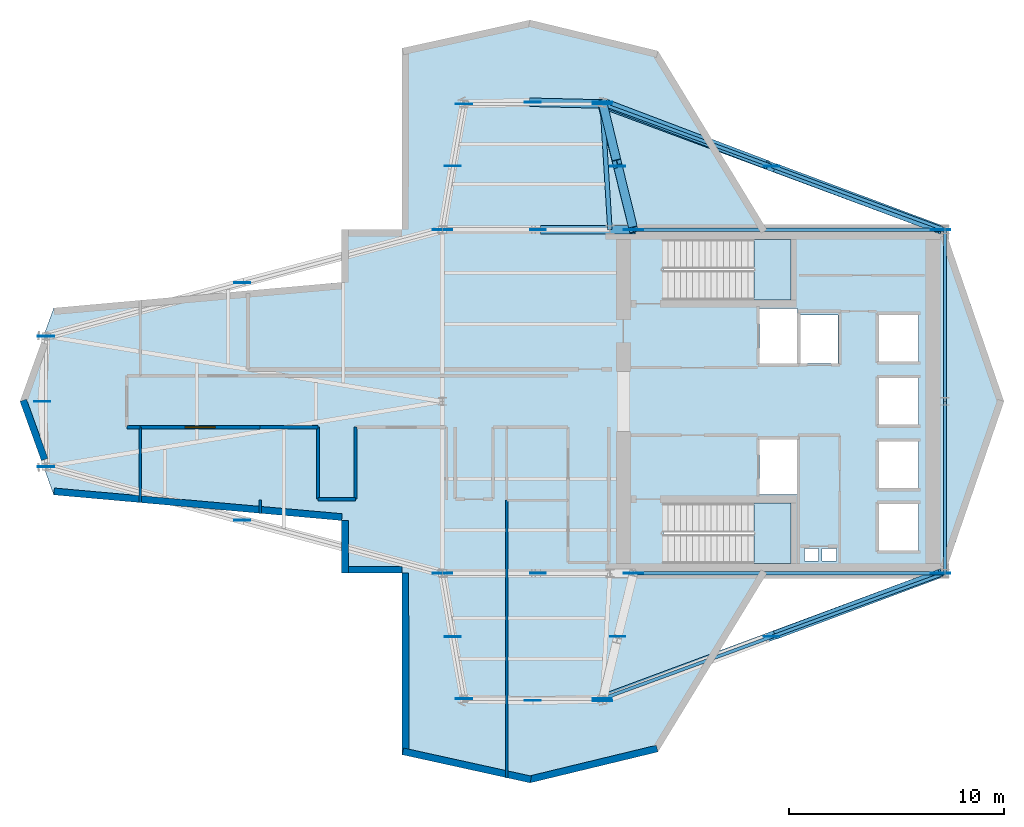
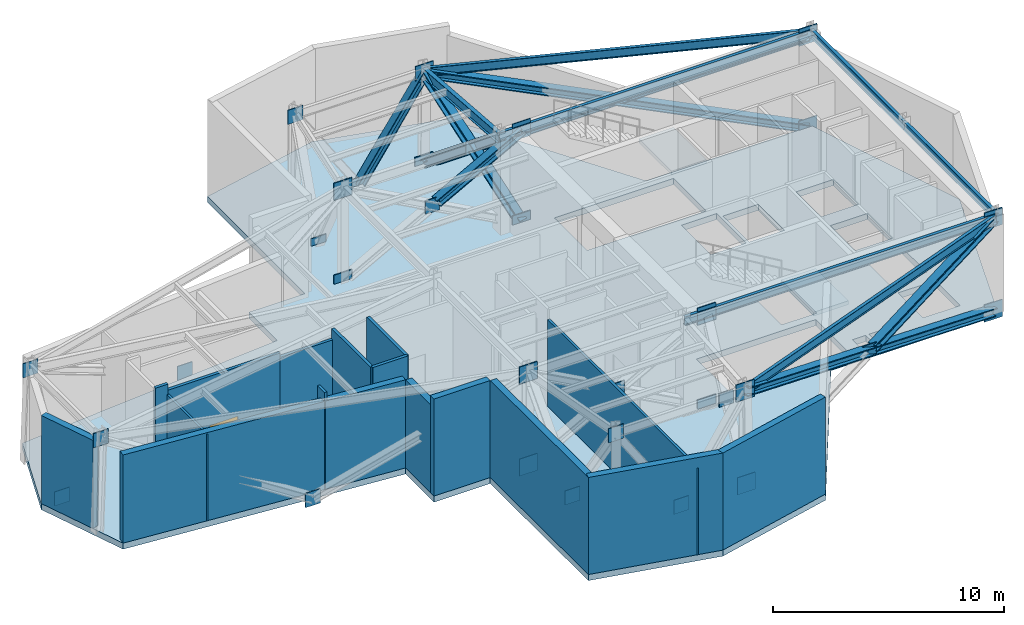
# One storey, part 2 of 5: 33 plates, 16 walls, 10 members, 7 beams, 3 slabs, 1 door, 1 opening, 2 elements without a shape of their own.
"""IFC4 building model written with IfcOpenShell, lengths in metres."""

from ifc_helpers import new_model, si_unit, direction, frame, frame_2d, origin, origin_2d, place, context, subcontext, project, spatial, polyline, rectangle, i_section, outline, extrude, material, layer, layer_set, material_profile, profile_set, type_object, element, fill, aggregate, save


model = new_model("IFC4")

# Units and contexts
model_context = context("Model", 3, precision=1e-05, world=origin(), true_north=direction((0.0, 1.0)))
body_context = subcontext(model_context, "Body", "Model", "MODEL_VIEW")
ifc_project = project(units=[si_unit("LENGTHUNIT", "METRE"), si_unit("AREAUNIT", "SQUARE_METRE"), si_unit("VOLUMEUNIT", "CUBIC_METRE"), si_unit("PLANEANGLEUNIT", "RADIAN"), si_unit("MASSUNIT", "GRAM", prefix="KILO")], contexts=[model_context])

# Site, building, storey
site_placement = place(None, origin())
site = spatial("IfcSite", under=ifc_project, at=site_placement, CompositionType="ELEMENT")
building_placement = place(site_placement, origin())
building = spatial("IfcBuilding", under=site, at=building_placement, Name="Veymaron Broadcast Tower", CompositionType="ELEMENT")
storey_placement = place(building_placement, frame((0.0, 0.0, 181.64990234375)))
storey = spatial("IfcBuildingStorey", under=building, at=storey_placement, Name="L42", CompositionType="ELEMENT", Elevation=181.64990234375)

# Beams
ifc_material_1 = material(Name="Structural steel ASTM A992 Gr 50", Category="steel")
ifc_material_profile_1 = material_profile(ifc_material_1, i_section(OverallWidth=0.2099609375, OverallDepth=0.537109375, WebThickness=0.010986328125, FlangeThickness=0.017333984375, at=origin_2d()), Name="W530X101")
ifc_profile_set_1 = profile_set([ifc_material_profile_1], Name="Structural steel ASTM A992 Gr 50")
beam_type_1 = type_object("IfcBeamType", Name="BM-FG3", PredefinedType="BEAM", material=ifc_profile_set_1)
beam_placement = place(storey_placement, frame((39.0, 32.0, 4.8515625), z_axis=(-0.061045718291, 0.998134970973, 0.0), x_axis=(-0.998134970973, -0.061045718291, 0.0)))
element("IfcBeam", 1, at=beam_placement, inside=storey, type_object=beam_type_1, Name="L42 primary structural floor girder", PredefinedType="BEAM", context=body_context, shape_type="SweptSolid", body=[
    extrude(i_section(OverallWidth=0.2099609375, OverallDepth=0.537109375, WebThickness=0.010986328125, FlangeThickness=0.017333984375, at=origin_2d()), origin(), (0.0, 0.0, 1.0), 5.863037109375),
])
ifc_material_profile_2 = material_profile(ifc_material_1, i_section(OverallWidth=0.154052734375, OverallDepth=0.458984375, WebThickness=0.009033203125, FlangeThickness=0.015380859375, at=origin_2d()), Name="W460X68")
ifc_profile_set_2 = profile_set([ifc_material_profile_2], Name="Structural steel ASTM A992 Gr 50")
beam_type_2 = type_object("IfcBeamType", Name="BM-SP2", PredefinedType="SPANDREL", material=ifc_profile_set_2)
for number, where, z_axis, x_axis, name in (
    (2, (39.0, 16.0, 4.890625), (1.0, 0.0, 0.0), (0.0, 1.0, 0.0), "L42 primary structural floor girder"),
    (3, (39.0, 32.0, 4.890625), (1.0, 0.0, 0.0), (0.0, 1.0, 0.0), "L42 primary structural floor girder"),
):
    element("IfcBeam", number, at=place(storey_placement, frame(where, z_axis=z_axis, x_axis=x_axis)), inside=storey, type_object=beam_type_2, Name=name, PredefinedType="SPANDREL", context=body_context, shape_type="SweptSolid", body=[
        extrude(i_section(OverallWidth=0.154052734375, OverallDepth=0.458984375, WebThickness=0.009033203125, FlangeThickness=0.015380859375, at=origin_2d()), origin(), (0.0, 0.0, 1.0), 15.60009765625),
    ])
for number, where, z_axis, x_axis, name in (
    (4, (54.60009765625, 16.0, 4.890625), (0.0, 1.0, 0.0), (-1.0, 0.0, 0.0), "L42 primary structural floor girder"),
    (5, (54.60009765625, 24.0, 4.890625), (0.0, 1.0, 0.0), (-1.0, 0.0, 0.0), "L42 primary structural floor girder"),
):
    element("IfcBeam", number, at=place(storey_placement, frame(where, z_axis=z_axis, x_axis=x_axis)), inside=storey, type_object=beam_type_2, Name=name, PredefinedType="SPANDREL", context=body_context, shape_type="SweptSolid", body=[
        extrude(i_section(OverallWidth=0.154052734375, OverallDepth=0.458984375, WebThickness=0.009033203125, FlangeThickness=0.015380859375, at=origin_2d()), origin(), (0.0, 0.0, 1.0), 8.0),
    ])
for number, where, z_axis, x_axis, name in (
    (6, (54.60009765625, 32.0, 4.890625), (-0.938861459041, 0.344295165125, 0.0), (-0.344295165125, -0.938861459041, 0.0), "L42 primary structural floor girder"),
    (7, (54.60009765625, 16.0, 4.890625), (-0.938861459041, -0.344295165125, 0.0), (0.344295165125, -0.938861459041, 0.0), "L42 primary structural floor girder"),
):
    element("IfcBeam", number, at=place(storey_placement, frame(where, z_axis=z_axis, x_axis=x_axis)), inside=storey, type_object=beam_type_2, Name=name, PredefinedType="SPANDREL", context=body_context, shape_type="SweptSolid", body=[
        extrude(i_section(OverallWidth=0.154052734375, OverallDepth=0.458984375, WebThickness=0.009033203125, FlangeThickness=0.015380859375, at=origin_2d()), origin(), (0.0, 0.0, 1.0), 16.9970703125),
    ])

# Members
ifc_material_profile_3 = material_profile(ifc_material_1, i_section(OverallWidth=0.39794921875, OverallDepth=0.386962890625, WebThickness=0.02099609375, FlangeThickness=0.033203125, at=origin_2d()), Name="W360X262")
ifc_profile_set_3 = profile_set([ifc_material_profile_3], Name="Structural steel ASTM A992 Gr 50")
member_type_1 = type_object("IfcMemberType", Name="MEM-BT2", PredefinedType="BRACE", material=ifc_profile_set_3)
member_1_placement = place(storey_placement, frame((35.410400390625, 37.929931640625, 0.02001953125), z_axis=(0.554447673822, -0.013361698871, 0.832111315869), x_axis=(0.02409212117, 0.999709742724, 0.0)))
element("IfcMember", 8, at=member_1_placement, inside=storey, type_object=member_type_1, Name="L42 Belt Truss perimeter diagonal R", PredefinedType="BRACE", context=body_context, shape_type="SweptSolid", body=[
    extrude(i_section(OverallWidth=0.39794921875, OverallDepth=0.386962890625, WebThickness=0.02099609375, FlangeThickness=0.033203125, at=origin_2d()), origin(), (0.0, 0.0, 1.0), 5.82861328125),
])
ifc_material_2 = material(Name="Structural steel ASTM A913 Gr 65", Category="steel")
ifc_material_profile_4 = material_profile(ifc_material_2, i_section(OverallWidth=0.406005859375, OverallDepth=0.416015625, WebThickness=0.02978515625, FlangeThickness=0.048095703125, at=origin_2d()), Name="W360X382")
ifc_profile_set_4 = profile_set([ifc_material_profile_4], Name="Structural steel ASTM A913 Gr 65")
member_type_2 = type_object("IfcMemberType", Name="MEM-OT2", PredefinedType="BRACE", material=ifc_profile_set_4)
member_2_placement = place(storey_placement, frame((40.10009765625, 32.0, 4.8701171875), z_axis=(-0.878082955067, 0.0, -0.478508436729), x_axis=(0.0, -1.0, 0.0)))
element("IfcMember", 9, at=member_2_placement, inside=storey, type_object=member_type_2, Name="L42 Outrigger split diagonal upper segment OT-NWB1", PredefinedType="BRACE", context=body_context, shape_type="SweptSolid", body=[
    extrude(i_section(OverallWidth=0.406005859375, OverallDepth=0.416015625, WebThickness=0.02978515625, FlangeThickness=0.048095703125, at=origin_2d()), origin(), (0.0, 0.0, 1.0), 4.828125),
])
member_3_placement = place(storey_placement, frame((40.10009765625, 32.0, 0.02001953125), z_axis=(-0.188391763364, 0.75615381243, 0.626689680339), x_axis=(-0.970337448617, -0.241754494916, 0.0)))
element("IfcMember", 10, at=member_3_placement, inside=storey, type_object=member_type_2, Name="L42 Outrigger continuous diagonal brace OT-B2A", PredefinedType="BRACE", context=body_context, shape_type="SweptSolid", body=[
    extrude(i_section(OverallWidth=0.406005859375, OverallDepth=0.416015625, WebThickness=0.02978515625, FlangeThickness=0.048095703125, at=origin_2d()), origin(), (0.0, 0.0, 1.0), 7.7392578125),
])
member_4_placement = place(storey_placement, frame((40.10009765625, 32.0, 4.8701171875), z_axis=(-0.187006046433, 0.758275681647, -0.624537212038), x_axis=(-0.970909713188, -0.239445878723, 0.0)))
element("IfcMember", 11, at=member_4_placement, inside=storey, type_object=member_type_2, Name="L42 Outrigger split diagonal upper segment OT-B2B1", PredefinedType="BRACE", context=body_context, shape_type="SweptSolid", body=[
    extrude(i_section(OverallWidth=0.406005859375, OverallDepth=0.416015625, WebThickness=0.02978515625, FlangeThickness=0.048095703125, at=origin_2d()), origin(), (0.0, 0.0, 1.0), 3.643798828125),
])
member_5_placement = place(storey_placement, frame((39.329833984375, 35.128173828125, 2.2958984375), z_axis=(-0.18376182888, 0.762970603557, -0.619764026347), x_axis=(-0.972199356781, -0.234154672546, 0.0)))
element("IfcMember", 12, at=member_5_placement, inside=storey, type_object=member_type_2, Name="L42 Outrigger split diagonal lower segment OT-B2B2", PredefinedType="BRACE", context=body_context, shape_type="SweptSolid", body=[
    extrude(i_section(OverallWidth=0.406005859375, OverallDepth=0.416015625, WebThickness=0.02978515625, FlangeThickness=0.048095703125, at=origin_2d()), origin(), (0.0, 0.0, 1.0), 3.672119140625),
])
member_6_placement = place(storey_placement, frame((54.39990234375, 32.0, 0.02001953125), z_axis=(-0.90069851178, 0.334496519078, 0.277226026199), x_axis=(-0.34814204012, -0.937441795474, 0.0)))
element("IfcMember", 13, at=member_6_placement, inside=storey, type_object=member_type_2, Name="L42 Outrigger continuous diagonal brace OT-BEA", PredefinedType="BRACE", context=body_context, shape_type="SweptSolid", body=[
    extrude(i_section(OverallWidth=0.406005859375, OverallDepth=0.416015625, WebThickness=0.02978515625, FlangeThickness=0.048095703125, at=origin_2d()), origin(), (0.0, 0.0, 1.0), 17.4951171875),
])
member_7_placement = place(storey_placement, frame((54.39990234375, 32.0, 4.8701171875), z_axis=(-0.899981863835, 0.336528676542, -0.277094017678), x_axis=(-0.350243216756, -0.936658790124, 0.0)))
element("IfcMember", 14, at=member_7_placement, inside=storey, type_object=member_type_2, Name="L42 Outrigger split diagonal upper segment OT-BEB1", PredefinedType="BRACE", context=body_context, shape_type="SweptSolid", body=[
    extrude(i_section(OverallWidth=0.406005859375, OverallDepth=0.416015625, WebThickness=0.02978515625, FlangeThickness=0.048095703125, at=origin_2d()), origin(), (0.0, 0.0, 1.0), 8.51123046875),
])
member_8_placement = place(storey_placement, frame((46.30859375, 35.02685546875, 2.378662109375), z_axis=(-0.898443731471, 0.340789001592, -0.276878525304), x_axis=(-0.354654234121, -0.934997526318, 0.0)))
element("IfcMember", 15, at=member_8_placement, inside=storey, type_object=member_type_2, Name="L42 Outrigger split diagonal lower segment OT-BEB2", PredefinedType="BRACE", context=body_context, shape_type="SweptSolid", body=[
    extrude(i_section(OverallWidth=0.406005859375, OverallDepth=0.416015625, WebThickness=0.02978515625, FlangeThickness=0.048095703125, at=origin_2d()), origin(), (0.0, 0.0, 1.0), 8.518798828125),
])
member_9_placement = place(storey_placement, frame((54.39990234375, 16.0, 0.02001953125), z_axis=(-0.90069851178, -0.334496519078, 0.277226026199), x_axis=(0.34814204012, -0.937441795474, 0.0)))
element("IfcMember", 16, at=member_9_placement, inside=storey, type_object=member_type_2, Name="L42 Outrigger continuous diagonal brace OT-CEA", PredefinedType="BRACE", context=body_context, shape_type="SweptSolid", body=[
    extrude(i_section(OverallWidth=0.406005859375, OverallDepth=0.416015625, WebThickness=0.02978515625, FlangeThickness=0.048095703125, at=origin_2d()), origin(), (0.0, 0.0, 1.0), 17.4951171875),
])
member_10_placement = place(storey_placement, frame((54.39990234375, 16.0, 4.8701171875), z_axis=(-0.899981863835, -0.336528676542, -0.277094017678), x_axis=(0.350243216756, -0.936658790124, 0.0)))
element("IfcMember", 17, at=member_10_placement, inside=storey, type_object=member_type_2, Name="L42 Outrigger split diagonal upper segment OT-CEB1", PredefinedType="BRACE", context=body_context, shape_type="SweptSolid", body=[
    extrude(i_section(OverallWidth=0.406005859375, OverallDepth=0.416015625, WebThickness=0.02978515625, FlangeThickness=0.048095703125, at=origin_2d()), origin(), (0.0, 0.0, 1.0), 8.51123046875),
])

# Plates
ifc_layer_1 = layer(ifc_material_2, 0.0400390625)
ifc_layer_set_1 = layer_set([ifc_layer_1], Name="Structural steel ASTM A913 Gr 65")
plate_type_1 = type_object("IfcPlateType", Name="PLT-NODE-BN1", PredefinedType="SHEET", material=ifc_layer_set_1)
for number, where, z_axis, x_axis, name in (
    (18, (12.56103515625, 24.0, -0.35498046875), (0.0, 0.0, 1.0), (1.0, 0.0, 0.0), "L42 Belt Truss apex gusset node plate BN1"),
    (19, (12.740478515625, 20.9580078125, 4.4951171875), (0.0, 0.0, 1.0), (1.0, 0.0, 0.0), "L42 Belt Truss column gusset node plate BN1"),
    (20, (12.740478515625, 27.0419921875, 4.4951171875), (0.0, 0.0, 1.0), (1.0, 0.0, 0.0), "L42 Belt Truss column gusset node plate BN1"),
    (21, (35.410400390625, 37.929931640625, -0.35498046875), (0.0, 0.0, 1.0), (1.0, 0.0, 0.0), "L42 Belt Truss apex gusset node plate BN1"),
    (22, (32.202392578125, 37.85205078125, 4.4951171875), (0.0, 0.0, 1.0), (1.0, 0.0, 0.0), "L42 Belt Truss column gusset node plate BN1"),
    (23, (35.410400390625, 10.070068359375, -0.35498046875), (0.0, 0.0, 1.0), (1.0, 0.0, 0.0), "L42 Belt Truss apex gusset node plate BN1"),
    (24, (32.202392578125, 10.14794921875, 4.4951171875), (0.0, 0.0, 1.0), (1.0, 0.0, 0.0), "L42 Belt Truss column gusset node plate BN1"),
    (25, (21.880615234375, 29.527587890625, -0.35498046875), (0.0, 0.0, 1.0), (1.0, 0.0, 0.0), "L42 Belt Truss apex gusset node plate BN1"),
    (26, (21.880615234375, 18.472412109375, -0.35498046875), (0.0, 0.0, 1.0), (1.0, 0.0, 0.0), "L42 Belt Truss apex gusset node plate BN1"),
    (27, (31.68310546875, 34.965087890625, -0.35498046875), (0.0, 0.0, 1.0), (1.0, 0.0, 0.0), "L42 Belt Truss apex gusset node plate BN1"),
    (28, (31.68310546875, 13.034912109375, -0.35498046875), (0.0, 0.0, 1.0), (1.0, 0.0, 0.0), "L42 Belt Truss apex gusset node plate BN1"),
):
    element("IfcPlate", number, at=place(storey_placement, frame(where, z_axis=z_axis, x_axis=x_axis)), inside=storey, type_object=plate_type_1, Name=name, PredefinedType="SHEET", context=body_context, shape_type="SweptSolid", body=[
        extrude(rectangle(XDim=0.75, YDim=0.0400390625, at=origin_2d()), origin(), (0.0, 0.0, 1.0), 0.75),
    ])
ifc_layer_2 = layer(ifc_material_2, 0.044921875)
ifc_layer_set_2 = layer_set([ifc_layer_2], Name="Structural steel ASTM A913 Gr 65")
plate_type_2 = type_object("IfcPlateType", Name="PLT-NODE-ON1", PredefinedType="SHEET", material=ifc_layer_set_2)
for number, where, z_axis, x_axis, name in (
    (29, (40.10009765625, 32.0, -0.429931640625), (0.0, 0.0, 1.0), (1.0, 0.0, 0.0), "L42 Outrigger end gusset node plate ON1"),
    (30, (31.199951171875, 32.0, 4.420166015625), (0.0, 0.0, 1.0), (1.0, 0.0, 0.0), "L42 Outrigger end gusset node plate ON1"),
    (31, (40.10009765625, 32.0, 4.420166015625), (0.0, 0.0, 1.0), (1.0, 0.0, 0.0), "L42 Outrigger end gusset node plate ON1"),
    (32, (31.199951171875, 32.0, -0.429931640625), (0.0, 0.0, 1.0), (1.0, 0.0, 0.0), "L42 Outrigger end gusset node plate ON1"),
    (33, (40.10009765625, 16.0, -0.429931640625), (0.0, 0.0, 1.0), (1.0, 0.0, 0.0), "L42 Outrigger end gusset node plate ON1"),
    (34, (31.199951171875, 16.0, 4.420166015625), (0.0, 0.0, 1.0), (1.0, 0.0, 0.0), "L42 Outrigger end gusset node plate ON1"),
    (35, (40.10009765625, 16.0, 4.420166015625), (0.0, 0.0, 1.0), (1.0, 0.0, 0.0), "L42 Outrigger end gusset node plate ON1"),
    (36, (31.199951171875, 16.0, -0.429931640625), (0.0, 0.0, 1.0), (1.0, 0.0, 0.0), "L42 Outrigger end gusset node plate ON1"),
    (37, (38.64208984375, 37.85205078125, 4.420166015625), (0.0, 0.0, 1.0), (1.0, 0.0, 0.0), "L42 Outrigger end gusset node plate ON1"),
    (38, (38.655029296875, 37.929931640625, -0.429931640625), (0.0, 0.0, 1.0), (1.0, 0.0, 0.0), "L42 Outrigger end gusset node plate ON1"),
    (39, (38.64208984375, 10.14794921875, 4.420166015625), (0.0, 0.0, 1.0), (1.0, 0.0, 0.0), "L42 Outrigger end gusset node plate ON1"),
    (40, (38.655029296875, 10.070068359375, -0.429931640625), (0.0, 0.0, 1.0), (1.0, 0.0, 0.0), "L42 Outrigger end gusset node plate ON1"),
    (41, (54.39990234375, 32.0, -0.429931640625), (0.0, 0.0, 1.0), (1.0, 0.0, 0.0), "L42 Outrigger end gusset node plate ON1"),
    (42, (54.39990234375, 32.0, 4.420166015625), (0.0, 0.0, 1.0), (1.0, 0.0, 0.0), "L42 Outrigger end gusset node plate ON1"),
    (43, (54.39990234375, 16.0, -0.429931640625), (0.0, 0.0, 1.0), (1.0, 0.0, 0.0), "L42 Outrigger end gusset node plate ON1"),
    (44, (54.39990234375, 16.0, 4.420166015625), (0.0, 0.0, 1.0), (1.0, 0.0, 0.0), "L42 Outrigger end gusset node plate ON1"),
):
    element("IfcPlate", number, at=place(storey_placement, frame(where, z_axis=z_axis, x_axis=x_axis)), inside=storey, type_object=plate_type_2, Name=name, PredefinedType="SHEET", context=body_context, shape_type="SweptSolid", body=[
        extrude(rectangle(XDim=0.89990234375, YDim=0.044921875, at=origin_2d()), origin(), (0.0, 0.0, 1.0), 0.89990234375),
    ])
ifc_layer_3 = layer(ifc_material_2, 0.044921875)
ifc_layer_set_3 = layer_set([ifc_layer_3], Name="Structural steel ASTM A913 Gr 65")
plate_type_3 = type_object("IfcPlateType", Name="PLT-NODE-XN1", PredefinedType="SHEET", material=ifc_layer_set_3)
for number, where, z_axis, x_axis, name in (
    (45, (35.64990234375, 32.0, 2.09521484375), (0.0, 0.0, 1.0), (1.0, 0.0, 0.0), "L42 Outrigger X-brace crossing gusset node XN1"),
    (46, (35.64990234375, 16.0, 2.09521484375), (0.0, 0.0, 1.0), (1.0, 0.0, 0.0), "L42 Outrigger X-brace crossing gusset node XN1"),
    (47, (39.374267578125, 34.945556640625, 2.09521484375), (0.0, 0.0, 1.0), (1.0, 0.0, 0.0), "L42 Outrigger X-brace crossing gusset node XN1"),
    (48, (39.374267578125, 13.054443359375, 2.09521484375), (0.0, 0.0, 1.0), (1.0, 0.0, 0.0), "L42 Outrigger X-brace crossing gusset node XN1"),
    (49, (46.5244140625, 34.945556640625, 2.09521484375), (0.0, 0.0, 1.0), (1.0, 0.0, 0.0), "L42 Outrigger X-brace crossing gusset node XN1"),
    (50, (46.5244140625, 13.054443359375, 2.09521484375), (0.0, 0.0, 1.0), (1.0, 0.0, 0.0), "L42 Outrigger X-brace crossing gusset node XN1"),
):
    element("IfcPlate", number, at=place(storey_placement, frame(where, z_axis=z_axis, x_axis=x_axis)), inside=storey, type_object=plate_type_3, Name=name, PredefinedType="SHEET", context=body_context, shape_type="SweptSolid", body=[
        extrude(rectangle(XDim=0.699951171875, YDim=0.044921875, at=origin_2d()), origin(), (0.0, 0.0, 1.0), 0.699951171875),
    ])

# Slab
ifc_material_3 = material(Name="Concrete C40/50", Category="concrete")
ifc_layer_4 = layer(ifc_material_3, 0.320068359375)
ifc_layer_set_4 = layer_set([ifc_layer_4], Name="Concrete C40/50")
slab_type_1 = type_object("IfcSlabType", Name="SLAB-FS2", PredefinedType="FLOOR", material=ifc_layer_set_4)
slab_1_placement = place(storey_placement, frame((0.0, 0.0, -0.31982421875)))
element("IfcSlab", 51, at=slab_1_placement, inside=storey, type_object=slab_type_1, Name="L42 structural floor slab", PredefinedType="FLOOR", context=body_context, shape_type="SweptSolid", body=[
    extrude(outline(polyline([(46.312255859375, 16.0), (54.60009765625, 16.0), (57.35107421875, 24.0), (54.60009765625, 32.0), (46.312255859375, 32.0), (41.2373046875, 40.322021484375), (35.282958984375, 41.762939453125), (29.32861328125, 40.452880859375), (29.30615234375, 32.0), (26.50390625, 32.0), (26.50390625, 29.546875), (13.10009765625, 28.351318359375), (11.528076171875, 24.0), (13.10009765625, 19.648681640625), (26.50390625, 18.453125), (26.50390625, 16.0), (29.30615234375, 16.0), (29.32861328125, 7.547119140625), (35.282958984375, 6.237060546875), (41.2373046875, 7.677978515625), (46.312255859375, 16.0)]), holes=[polyline([(45.969970703125, 28.330078125), (47.72998046875, 28.330078125), (47.72998046875, 25.77001953125), (45.969970703125, 25.77001953125), (45.969970703125, 28.330078125)]), polyline([(45.969970703125, 22.22998046875), (47.72998046875, 22.22998046875), (47.72998046875, 19.669921875), (45.969970703125, 19.669921875), (45.969970703125, 22.22998046875)]), polyline([(47.8701171875, 28.030029296875), (49.6298828125, 28.030029296875), (49.6298828125, 25.77001953125), (47.8701171875, 25.77001953125), (47.8701171875, 28.030029296875)]), polyline([(51.52001953125, 28.030029296875), (53.3798828125, 28.030029296875), (53.3798828125, 25.8701171875), (51.52001953125, 25.8701171875), (51.52001953125, 28.030029296875)]), polyline([(51.52001953125, 22.1298828125), (53.3798828125, 22.1298828125), (53.3798828125, 19.969970703125), (51.52001953125, 19.969970703125), (51.52001953125, 22.1298828125)]), polyline([(51.52001953125, 25.080078125), (53.3798828125, 25.080078125), (53.3798828125, 22.919921875), (51.52001953125, 22.919921875), (51.52001953125, 25.080078125)]), polyline([(51.52001953125, 19.22998046875), (53.3798828125, 19.22998046875), (53.3798828125, 17.070068359375), (51.52001953125, 17.070068359375), (51.52001953125, 19.22998046875)]), polyline([(48.050048828125, 17.159912109375), (48.719970703125, 17.159912109375), (48.719970703125, 16.56005859375), (48.050048828125, 16.56005859375), (48.050048828125, 17.159912109375)]), polyline([(48.8798828125, 17.159912109375), (49.550048828125, 17.159912109375), (49.550048828125, 16.56005859375), (48.8798828125, 16.56005859375), (48.8798828125, 17.159912109375)]), polyline([(41.489990234375, 31.550048828125), (47.43994140625, 31.550048828125), (47.43994140625, 28.72998046875), (41.489990234375, 28.72998046875), (41.489990234375, 31.550048828125)]), polyline([(41.489990234375, 19.27001953125), (47.43994140625, 19.27001953125), (47.43994140625, 16.449951171875), (41.489990234375, 16.449951171875), (41.489990234375, 19.27001953125)])]), origin(), (0.0, 0.0, 1.0), 0.31982421875),
])

# Stair, slab
ifc_material_4 = material(Name="Concrete C50/60", Category="concrete")
stair_type_1 = type_object("IfcStairType", Name="STAIR-CORE-1", PredefinedType="HALF_TURN_STAIR", material=ifc_material_4)
stair_1_placement = place(storey_placement, origin())
stair_1 = element("IfcStair", 52, at=stair_1_placement, inside=storey, type_object=stair_type_1, Name="L42 North protected dog-leg exit stair ST1", PredefinedType="HALF_TURN_STAIR")
ifc_layer_5 = layer(ifc_material_4, 0.199951171875)
ifc_layer_set_5 = layer_set([ifc_layer_5], Name="Concrete C50/60")
slab_type_2 = type_object("IfcSlabType", Name="SLAB-STAIR-LDG", PredefinedType="LANDING", material=ifc_layer_set_5)
slab_2_placement = place(storey_placement, frame((0.0, 0.0, 2.5)))
slab_2 = element("IfcSlab", 53, at=slab_2_placement, type_object=slab_type_2, Name="ST1 landing 1", PredefinedType="LANDING", context=body_context, shape_type="SweptSolid", body=[
    extrude(outline(polyline([(45.705078125, 28.72998046875), (47.43994140625, 28.72998046875), (47.43994140625, 31.550048828125), (45.705078125, 31.550048828125), (45.705078125, 28.72998046875)])), origin(), (0.0, 0.0, 1.0), 0.2001953125),
])
aggregate(stair_1, [slab_2])

stair_type_2 = type_object("IfcStairType", Name="STAIR-CORE-2", PredefinedType="HALF_TURN_STAIR", material=ifc_material_4)
stair_2_placement = place(storey_placement, origin())
stair_2 = element("IfcStair", 54, at=stair_2_placement, inside=storey, type_object=stair_type_2, Name="L42 South protected dog-leg exit stair ST2", PredefinedType="HALF_TURN_STAIR")
slab_3_placement = place(storey_placement, frame((0.0, 0.0, 2.5)))
slab_3 = element("IfcSlab", 55, at=slab_3_placement, type_object=slab_type_2, Name="ST2 landing 1", PredefinedType="LANDING", context=body_context, shape_type="SweptSolid", body=[
    extrude(outline(polyline([(45.705078125, 16.449951171875), (47.43994140625, 16.449951171875), (47.43994140625, 19.27001953125), (45.705078125, 19.27001953125), (45.705078125, 16.449951171875)])), origin(), (0.0, 0.0, 1.0), 0.2001953125),
])
aggregate(stair_2, [slab_3])

# Walls
ifc_material_5 = material(Name="Precast concrete C40/50", Category="concrete")
ifc_layer_6 = layer(ifc_material_5, 0.320068359375)
ifc_layer_set_6 = layer_set([ifc_layer_6], Name="Precast concrete C40/50")
wall_type_1 = type_object("IfcWallType", Name="WALL-EXT-320", PredefinedType="STANDARD", material=ifc_layer_set_6)
wall_1_placement = place(storey_placement, frame((11.678466796875, 24.054443359375, 0.0), z_axis=(0.0, 0.0, 1.0), x_axis=(0.339763149666, -0.940511032433, 0.0)))
element("IfcWall", 56, at=wall_1_placement, inside=storey, type_object=wall_type_1, Name="L42 mechanical belt-truss facade band 13-1", PredefinedType="STANDARD", context=body_context, shape_type="SweptSolid", body=[
    extrude(rectangle(XDim=2.931640625, YDim=0.320068359375, at=frame_2d((1.4658203125, 0.0))), origin(), (0.0, 0.0, 1.0), 4.649169921875),
])
wall_2_placement = place(storey_placement, frame((13.1142578125, 19.80810546875, 0.0), z_axis=(0.0, 0.0, 1.0), x_axis=(0.996045822268, -0.088840981215, 0.0)))
element("IfcWall", 57, at=wall_2_placement, inside=storey, type_object=wall_type_1, Name="L42 mechanical belt-truss facade band 14-1", PredefinedType="STANDARD", context=body_context, shape_type="SweptSolid", body=[
    extrude(rectangle(XDim=13.457275390625, YDim=0.320068359375, at=frame_2d((6.728515625, 0.0))), origin(), (0.0, 0.0, 1.0), 4.649169921875),
])
wall_3_placement = place(storey_placement, frame((26.6640625, 18.453125, 0.0), z_axis=(0.0, 0.0, 1.0), x_axis=(0.0, -1.0, 0.0)))
element("IfcWall", 58, at=wall_3_placement, inside=storey, type_object=wall_type_1, Name="L42 mechanical belt-truss facade band 15-1", PredefinedType="STANDARD", context=body_context, shape_type="SweptSolid", body=[
    extrude(rectangle(XDim=2.453125, YDim=0.320068359375, at=frame_2d((1.2265625, 0.0))), origin(), (0.0, 0.0, 1.0), 4.649169921875),
])
wall_4_placement = place(storey_placement, frame((26.50390625, 16.159912109375, 0.0), z_axis=(0.0, 0.0, 1.0), x_axis=(1.0, 0.0, 0.0)))
element("IfcWall", 59, at=wall_4_placement, inside=storey, type_object=wall_type_1, Name="L42 mechanical belt-truss facade band 16-1", PredefinedType="STANDARD", context=body_context, shape_type="SweptSolid", body=[
    extrude(rectangle(XDim=2.80224609375, YDim=0.320068359375, at=frame_2d((1.401123046875, 0.0))), origin(), (0.0, 0.0, 1.0), 5.1201171875),
])
wall_5_placement = place(storey_placement, frame((29.466064453125, 16.00048828125, 0.0), z_axis=(0.0, 0.0, 1.0), x_axis=(0.002657107071, -0.999996469885, 0.0)))
element("IfcWall", 60, at=wall_5_placement, inside=storey, type_object=wall_type_1, Name="L42 mechanical belt-truss facade band 17-1", PredefinedType="STANDARD", context=body_context, shape_type="SweptSolid", body=[
    extrude(rectangle(XDim=8.453125, YDim=0.320068359375, at=frame_2d((4.2265625, 0.0))), origin(), (0.0, 0.0, 1.0), 5.1201171875),
])
wall_6_placement = place(storey_placement, frame((29.363037109375, 7.703369140625, 0.0), z_axis=(0.0, 0.0, 1.0), x_axis=(0.976640937295, -0.21487782482, 0.0)))
element("IfcWall", 61, at=wall_6_placement, inside=storey, type_object=wall_type_1, Name="L42 mechanical belt-truss facade band 18-1", PredefinedType="STANDARD", context=body_context, shape_type="SweptSolid", body=[
    extrude(rectangle(XDim=6.0966796875, YDim=0.320068359375, at=frame_2d((3.04833984375, 0.0))), origin(), (0.0, 0.0, 1.0), 5.1201171875),
])
wall_7_placement = place(storey_placement, frame((35.245361328125, 6.392578125, 0.0), z_axis=(0.0, 0.0, 1.0), x_axis=(0.971945697545, 0.235205359257, 0.0)))
element("IfcWall", 62, at=wall_7_placement, inside=storey, type_object=wall_type_1, Name="L42 mechanical belt-truss facade band 19-1", PredefinedType="STANDARD", context=body_context, shape_type="SweptSolid", body=[
    extrude(rectangle(XDim=6.126220703125, YDim=0.320068359375, at=frame_2d((3.06298828125, 0.0))), origin(), (0.0, 0.0, 1.0), 5.1201171875),
])

# Wall, opening, door
ifc_material_6 = material(Name="Gypsum fireboard and steel stud framing", Category="steel")
ifc_layer_7 = layer(ifc_material_6, 0.14990234375)
ifc_layer_set_7 = layer_set([ifc_layer_7], Name="Gypsum fireboard and steel stud framing")
wall_type_2 = type_object("IfcWallType", Name="WALL-FIRE-150", PredefinedType="PARTITIONING", material=ifc_layer_set_7)
wall_8_placement = place(storey_placement, frame((17.1201171875, 22.800048828125, 0.0), z_axis=(0.0, 0.0, 1.0), x_axis=(1.0, 0.0, 0.0)))
wall_8 = element("IfcWall", 63, at=wall_8_placement, inside=storey, type_object=wall_type_2, Name="L42 partition IW-L42-P08", PredefinedType="PARTITIONING", context=body_context, shape_type="SweptSolid", body=[
    extrude(rectangle(XDim=5.58984375, YDim=0.14990234375, at=frame_2d((2.794921875, 0.0))), origin(), (0.0, 0.0, 1.0), 4.798095703125),
])
opening_placement = place(wall_8_placement, frame((2.094970703125, 0.0, 0.0)))
opening = element("IfcOpeningElement", 64, at=opening_placement, cuts=wall_8, Name="Opening ID-PL1", PredefinedType="OPENING", context=body_context, shape_type="SweptSolid", body=[
    extrude(rectangle(XDim=1.39990234375, YDim=2.199951171875, at=frame_2d((0.699951171875, 1.10009765625))), frame((0.0, 0.0849609375, 0.0), z_axis=(0.0, -1.0, 0.0), x_axis=(1.0, 0.0, 0.0)), (0.0, 0.0, 1.0), 0.169921875),
])
ifc_material_7 = material(Name="Heavy-duty acoustic galvanized steel", Category="steel")
door_type = type_object("IfcDoorType", Name="DOOR-PLANT-1400", OperationType="DOUBLE_DOOR_SINGLE_SWING", PredefinedType="DOOR", material=ifc_material_7)
door_placement = place(opening_placement, frame((1.39990234375, 0.0, 0.0), z_axis=(0.0, 0.0, 1.0), x_axis=(-1.0, 0.0, 0.0)))
door = element("IfcDoor", 65, at=door_placement, inside=storey, type_object=door_type, Name="L42 door DR-L42-P08", OperationType="SINGLE_SWING_LEFT", OverallHeight=2.199951171875, OverallWidth=1.39990234375, PredefinedType="DOOR", context=body_context, shape_type="SweptSolid", body=[
    extrude(rectangle(XDim=1.39990234375, YDim=2.199951171875, at=frame_2d((0.699951171875, 1.10009765625))), frame((0.0, 0.02490234375, 0.0), z_axis=(0.0, -1.0, 0.0), x_axis=(1.0, 0.0, 0.0)), (0.0, 0.0, 1.0), 0.050048828125),
])
fill(opening, door)

# Walls
for number, where, z_axis, x_axis, name in (
    (66, (27.14990234375, 19.449951171875, 0.0), (0.0, 0.0, 1.0), (0.0, 1.0, 0.0), "L42 partition IW-L42-P10"),
    (67, (25.39990234375, 19.449951171875, 0.0), (0.0, 0.0, 1.0), (0.0, 1.0, 0.0), "L42 partition IW-L42-P11"),
):
    element("IfcWall", number, at=place(storey_placement, frame(where, z_axis=z_axis, x_axis=x_axis)), inside=storey, type_object=wall_type_2, Name=name, PredefinedType="PARTITIONING", context=body_context, shape_type="SweptSolid", body=[
        extrude(rectangle(XDim=3.35009765625, YDim=0.14990234375, at=frame_2d((1.675048828125, 0.0))), origin(), (0.0, 0.0, 1.0), 5.1201171875),
    ])
wall_9_placement = place(storey_placement, frame((22.7099609375, 22.800048828125, 0.0), z_axis=(0.0, 0.0, 1.0), x_axis=(1.0, 0.0, 0.0)))
element("IfcWall", 68, at=wall_9_placement, inside=storey, type_object=wall_type_2, Name="L42 partition IW-L42-P12", PredefinedType="PARTITIONING", context=body_context, shape_type="SweptSolid", body=[
    extrude(rectangle(XDim=2.68994140625, YDim=0.14990234375, at=frame_2d((1.344970703125, 0.0))), origin(), (0.0, 0.0, 1.0), 4.571044921875),
])
wall_10_placement = place(storey_placement, frame((25.39990234375, 19.449951171875, 0.0), z_axis=(0.0, 0.0, 1.0), x_axis=(1.0, 0.0, 0.0)))
element("IfcWall", 69, at=wall_10_placement, inside=storey, type_object=wall_type_2, Name="L42 partition IW-L42-P13", PredefinedType="PARTITIONING", context=body_context, shape_type="SweptSolid", body=[
    extrude(rectangle(XDim=1.75, YDim=0.14990234375, at=frame_2d((0.875, 0.0))), origin(), (0.0, 0.0, 1.0), 5.1201171875),
])
wall_11_placement = place(storey_placement, frame((16.5, 22.800048828125, 0.0), z_axis=(0.0, 0.0, 1.0), x_axis=(1.0, 0.0, 0.0)))
element("IfcWall", 70, at=wall_11_placement, inside=storey, type_object=wall_type_2, Name="L42 partition IW-L42-P17", PredefinedType="PARTITIONING", context=body_context, shape_type="SweptSolid", body=[
    extrude(rectangle(XDim=0.6201171875, YDim=0.14990234375, at=frame_2d((0.31005859375, 0.0))), origin(), (0.0, 0.0, 1.0), 5.1201171875),
])
ifc_material_8 = material(Name="Acoustic gypsum board and galvanized stud", Category="gypsum")
ifc_layer_8 = layer(ifc_material_8, 0.1201171875)
ifc_layer_set_8 = layer_set([ifc_layer_8], Name="Acoustic gypsum board and galvanized stud")
wall_type_3 = type_object("IfcWallType", Name="WALL-PART-120", PredefinedType="PARTITIONING", material=ifc_layer_set_8)
wall_12_placement = place(storey_placement, frame((34.199951171875, 6.475341796875, 0.0), z_axis=(0.0, 0.0, 1.0), x_axis=(0.0, 1.0, 0.0)))
element("IfcWall", 71, at=wall_12_placement, inside=storey, type_object=wall_type_3, Name="L42 partition IW-L42-P20", PredefinedType="PARTITIONING", context=body_context, shape_type="SweptSolid", body=[
    extrude(rectangle(XDim=12.924560546875, YDim=0.1201171875, at=frame_2d((6.46240234375, 0.0))), origin(), (0.0, 0.0, 1.0), 4.571044921875),
])
wall_13_placement = place(storey_placement, frame((22.7099609375, 18.79150390625, 0.0), z_axis=(0.0, 0.0, 1.0), x_axis=(0.0, 1.0, 0.0)))
element("IfcWall", 72, at=wall_13_placement, inside=storey, type_object=wall_type_3, Name="L42 partition IW-L42-P22", PredefinedType="PARTITIONING", context=body_context, shape_type="SweptSolid", body=[
    extrude(rectangle(XDim=0.6083984375, YDim=0.1201171875, at=frame_2d((0.30419921875, 0.0))), origin(), (0.0, 0.0, 1.0), 5.1201171875),
])
wall_14_placement = place(storey_placement, frame((17.1201171875, 19.2900390625, 0.0), z_axis=(0.0, 0.0, 1.0), x_axis=(0.0, 1.0, 0.0)))
element("IfcWall", 73, at=wall_14_placement, inside=storey, type_object=wall_type_3, Name="L42 partition IW-L42-P27", PredefinedType="PARTITIONING", context=body_context, shape_type="SweptSolid", body=[
    extrude(rectangle(XDim=3.510009765625, YDim=0.1201171875, at=frame_2d((1.7548828125, 0.0))), origin(), (0.0, 0.0, 1.0), 4.571044921875),
])

save(model, "model.ifc")
